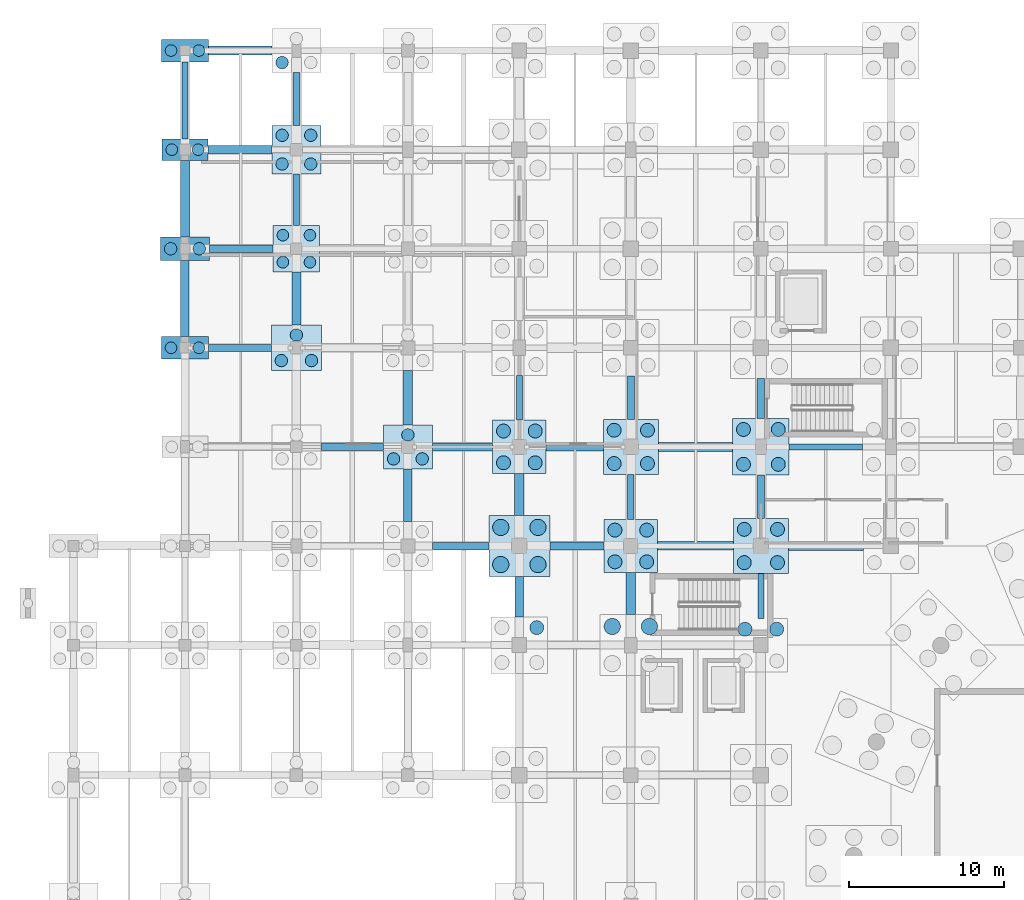
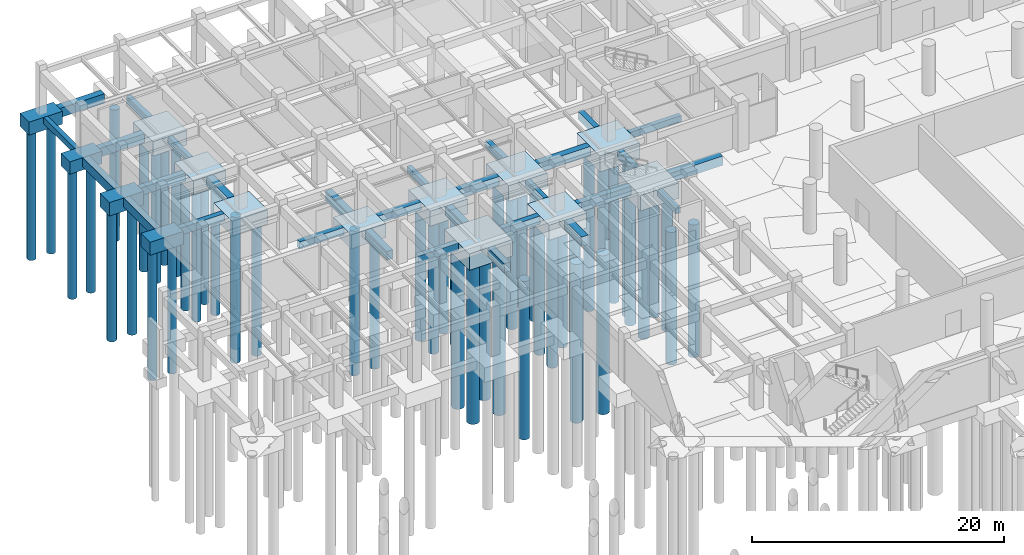
# One storey, part 7 of 44: 52 piles, 44 footings.
"""IFC4 building model written with IfcOpenShell, lengths in metres."""

from ifc_helpers import new_model, si_unit, direction, frame, origin, origin_2d, place, context, subcontext, project, spatial, rectangle, circle, extrude, material, material_profile, profile_set, type_object, element, save


model = new_model("IFC4")

# Units and contexts
model_context = context("Model", 3, precision=1e-05, world=origin(), true_north=direction((0.0, 1.0)))
body_context = subcontext(model_context, "Body", "Model", "MODEL_VIEW")
ifc_project = project(units=[si_unit("LENGTHUNIT", "METRE"), si_unit("AREAUNIT", "SQUARE_METRE"), si_unit("VOLUMEUNIT", "CUBIC_METRE"), si_unit("PLANEANGLEUNIT", "RADIAN"), si_unit("MASSUNIT", "GRAM", prefix="KILO")], contexts=[model_context])

# Site, building, storey
site_placement = place(None, origin())
site = spatial("IfcSite", under=ifc_project, at=site_placement, CompositionType="ELEMENT")
building_placement = place(site_placement, origin())
building = spatial("IfcBuilding", under=site, at=building_placement, Name="Korsvaeld Concert Hall", CompositionType="ELEMENT")
storey_placement = place(building_placement, frame((0.0, 0.0, -4.800048828125)))
storey = spatial("IfcBuildingStorey", under=building, at=storey_placement, Name="B1", CompositionType="ELEMENT", Elevation=-4.800048828125)

# Footings
ifc_material_1 = material(Name="Concrete C35/45", Category="concrete")
ifc_material_profile_1 = material_profile(ifc_material_1, rectangle(XDim=0.39990234375, YDim=0.60009765625, at=origin_2d()), Name="GTB 400x600")
ifc_profile_set_1 = profile_set([ifc_material_profile_1], Name="Concrete C35/45")
footing_type_1 = type_object("IfcFootingType", Name="GTB-400x600", PredefinedType="FOOTING_BEAM", material=ifc_profile_set_1)
footing_1_placement = place(storey_placement, frame((60.625, 89.60009765625, -0.300048828125), z_axis=(1.0, 0.0, 0.0), x_axis=(0.0, 1.0, 0.0)))
element("IfcFooting", 1, at=footing_1_placement, inside=storey, type_object=footing_type_1, Name="Ground tie beam 9-10/N", PredefinedType="FOOTING_BEAM", context=body_context, shape_type="SweptSolid", body=[
    extrude(rectangle(XDim=0.39990234375, YDim=0.60009765625, at=origin_2d()), origin(), (0.0, 0.0, 1.0), 4.75),
])
footing_2_placement = place(storey_placement, frame((21.60009765625, 109.5, -0.300048828125), z_axis=(0.0, 1.0, 0.0), x_axis=(-1.0, 0.0, 0.0)))
element("IfcFooting", 2, at=footing_2_placement, inside=storey, type_object=footing_type_1, Name="Ground tie beam 4/R-S", PredefinedType="FOOTING_BEAM", context=body_context, shape_type="SweptSolid", body=[
    extrude(rectangle(XDim=0.39990234375, YDim=0.60009765625, at=origin_2d()), origin(), (0.0, 0.0, 1.0), 4.97509765625),
])
footing_3_placement = place(storey_placement, frame((28.800048828125, 103.89990234375, -0.300048828125), z_axis=(0.0, 1.0, 0.0), x_axis=(-1.0, 0.0, 0.0)))
element("IfcFooting", 3, at=footing_3_placement, inside=storey, type_object=footing_type_1, Name="Ground tie beam 5/Q-R", PredefinedType="FOOTING_BEAM", context=body_context, shape_type="SweptSolid", body=[
    extrude(rectangle(XDim=0.39990234375, YDim=0.60009765625, at=origin_2d()), origin(), (0.0, 0.0, 1.0), 3.3251953125),
])
footing_4_placement = place(storey_placement, frame((43.199951171875, 91.324951171875, -0.300048828125), z_axis=(0.0, 1.0, 0.0), x_axis=(-1.0, 0.0, 0.0)))
element("IfcFooting", 4, at=footing_4_placement, inside=storey, type_object=footing_type_1, Name="Ground tie beam 7/N-P", PredefinedType="FOOTING_BEAM", context=body_context, shape_type="SweptSolid", body=[
    extrude(rectangle(XDim=0.39990234375, YDim=0.60009765625, at=origin_2d()), origin(), (0.0, 0.0, 1.0), 2.900146484375),
])
footing_5_placement = place(storey_placement, frame((50.39990234375, 84.925048828125, -0.300048828125), z_axis=(0.0, 1.0, 0.0), x_axis=(-1.0, 0.0, 0.0)))
element("IfcFooting", 5, at=footing_5_placement, inside=storey, type_object=footing_type_1, Name="Ground tie beam 8/M-N", PredefinedType="FOOTING_BEAM", context=body_context, shape_type="SweptSolid", body=[
    extrude(rectangle(XDim=0.39990234375, YDim=0.60009765625, at=origin_2d()), origin(), (0.0, 0.0, 1.0), 2.89990234375),
])
footing_6_placement = place(storey_placement, frame((58.800048828125, 78.52490234375, -0.300048828125), z_axis=(0.0, 1.0, 0.0), x_axis=(-1.0, 0.0, 0.0)))
element("IfcFooting", 6, at=footing_6_placement, inside=storey, type_object=footing_type_1, Name="Ground tie beam 9/L-M", PredefinedType="FOOTING_BEAM", context=body_context, shape_type="SweptSolid", body=[
    extrude(rectangle(XDim=0.39990234375, YDim=0.60009765625, at=origin_2d()), origin(), (0.0, 0.0, 1.0), 2.900146484375),
])
ifc_material_profile_2 = material_profile(ifc_material_1, rectangle(XDim=0.449951171875, YDim=0.699951171875, at=origin_2d()), Name="GTB 450x700")
ifc_profile_set_2 = profile_set([ifc_material_profile_2], Name="Concrete C35/45")
footing_type_2 = type_object("IfcFootingType", Name="GTB-450x700", PredefinedType="FOOTING_BEAM", material=ifc_profile_set_2)
footing_7_placement = place(storey_placement, frame((37.574951171875, 83.199951171875, -0.349853515625), z_axis=(1.0, 0.0, 0.0), x_axis=(0.0, 1.0, 0.0)))
element("IfcFooting", 7, at=footing_7_placement, inside=storey, type_object=footing_type_2, Name="Ground tie beam 6-7/M", PredefinedType="FOOTING_BEAM", context=body_context, shape_type="SweptSolid", body=[
    extrude(rectangle(XDim=0.449951171875, YDim=0.699951171875, at=origin_2d()), origin(), (0.0, 0.0, 1.0), 3.650146484375),
])
for number, where, z_axis, x_axis, name in (
    (8, (30.375, 89.60009765625, -0.349853515625), (1.0, 0.0, 0.0), (0.0, 1.0, 0.0), "Ground tie beam 5-6/N"),
    (9, (23.125, 96.0, -0.349853515625), (1.0, 0.0, 0.0), (0.0, 1.0, 0.0), "Ground tie beam 4-5/P"),
):
    element("IfcFooting", number, at=place(storey_placement, frame(where, z_axis=z_axis, x_axis=x_axis)), inside=storey, type_object=footing_type_2, Name=name, PredefinedType="FOOTING_BEAM", context=body_context, shape_type="SweptSolid", body=[
        extrude(rectangle(XDim=0.449951171875, YDim=0.699951171875, at=origin_2d()), origin(), (0.0, 0.0, 1.0), 4.050048828125),
    ])
footing_8_placement = place(storey_placement, frame((28.800048828125, 110.375, -0.349853515625), z_axis=(0.0, 1.0, 0.0), x_axis=(-1.0, 0.0, 0.0)))
element("IfcFooting", 10, at=footing_8_placement, inside=storey, type_object=footing_type_2, Name="Ground tie beam 5/R-S", PredefinedType="FOOTING_BEAM", context=body_context, shape_type="SweptSolid", body=[
    extrude(rectangle(XDim=0.449951171875, YDim=0.699951171875, at=origin_2d()), origin(), (0.0, 0.0, 1.0), 3.39990234375),
])
footing_9_placement = place(storey_placement, frame((50.39990234375, 91.375, -0.349853515625), z_axis=(0.0, 1.0, 0.0), x_axis=(-1.0, 0.0, 0.0)))
element("IfcFooting", 11, at=footing_9_placement, inside=storey, type_object=footing_type_2, Name="Ground tie beam 8/N-P", PredefinedType="FOOTING_BEAM", context=body_context, shape_type="SweptSolid", body=[
    extrude(rectangle(XDim=0.449951171875, YDim=0.699951171875, at=origin_2d()), origin(), (0.0, 0.0, 1.0), 2.800048828125),
])
footing_10_placement = place(storey_placement, frame((58.800048828125, 84.97509765625, -0.349853515625), z_axis=(0.0, 1.0, 0.0), x_axis=(-1.0, 0.0, 0.0)))
element("IfcFooting", 12, at=footing_10_placement, inside=storey, type_object=footing_type_2, Name="Ground tie beam 9/M-N", PredefinedType="FOOTING_BEAM", context=body_context, shape_type="SweptSolid", body=[
    extrude(rectangle(XDim=0.449951171875, YDim=0.699951171875, at=origin_2d()), origin(), (0.0, 0.0, 1.0), 2.7998046875),
])
ifc_material_profile_3 = material_profile(ifc_material_1, rectangle(XDim=0.5, YDim=0.75, at=origin_2d()), Name="GTB 500x750")
ifc_profile_set_3 = profile_set([ifc_material_profile_3], Name="Concrete C35/45")
footing_type_3 = type_object("IfcFootingType", Name="GTB-500x750", PredefinedType="FOOTING_BEAM", material=ifc_profile_set_3)
footing_11_placement = place(storey_placement, frame((45.175048828125, 83.199951171875, -0.375), z_axis=(1.0, 0.0, 0.0), x_axis=(0.0, 1.0, 0.0)))
element("IfcFooting", 13, at=footing_11_placement, inside=storey, type_object=footing_type_3, Name="Ground tie beam 7-8/M", PredefinedType="FOOTING_BEAM", context=body_context, shape_type="SweptSolid", body=[
    extrude(rectangle(XDim=0.5, YDim=0.75, at=origin_2d()), origin(), (0.0, 0.0, 1.0), 3.5),
])
footing_12_placement = place(storey_placement, frame((37.574951171875, 89.60009765625, -0.375), z_axis=(1.0, 0.0, 0.0), x_axis=(0.0, 1.0, 0.0)))
element("IfcFooting", 14, at=footing_12_placement, inside=storey, type_object=footing_type_3, Name="Ground tie beam 6-7/N", PredefinedType="FOOTING_BEAM", context=body_context, shape_type="SweptSolid", body=[
    extrude(rectangle(XDim=0.5, YDim=0.75, at=origin_2d()), origin(), (0.0, 0.0, 1.0), 3.900146484375),
])
footing_13_placement = place(storey_placement, frame((23.175048828125, 102.39990234375, -0.375), z_axis=(1.0, 0.0, 0.0), x_axis=(0.0, 1.0, 0.0)))
element("IfcFooting", 15, at=footing_13_placement, inside=storey, type_object=footing_type_3, Name="Ground tie beam 4-5/Q", PredefinedType="FOOTING_BEAM", context=body_context, shape_type="SweptSolid", body=[
    extrude(rectangle(XDim=0.5, YDim=0.75, at=origin_2d()), origin(), (0.0, 0.0, 1.0), 4.125),
])
footing_14_placement = place(storey_placement, frame((58.800048828125, 91.425048828125, -0.375), z_axis=(0.0, 1.0, 0.0), x_axis=(-1.0, 0.0, 0.0)))
element("IfcFooting", 16, at=footing_14_placement, inside=storey, type_object=footing_type_3, Name="Ground tie beam 9/N-P", PredefinedType="FOOTING_BEAM", context=body_context, shape_type="SweptSolid", body=[
    extrude(rectangle(XDim=0.5, YDim=0.75, at=origin_2d()), origin(), (0.0, 0.0, 1.0), 2.599853515625),
])
ifc_material_profile_4 = material_profile(ifc_material_1, rectangle(XDim=0.550048828125, YDim=0.85009765625, at=origin_2d()), Name="GTB 550x850")
ifc_profile_set_4 = profile_set([ifc_material_profile_4], Name="Concrete C35/45")
footing_type_4 = type_object("IfcFootingType", Name="GTB-550x850", PredefinedType="FOOTING_BEAM", material=ifc_profile_set_4)
footing_15_placement = place(storey_placement, frame((52.125, 83.199951171875, -0.425048828125), z_axis=(1.0, 0.0, 0.0), x_axis=(0.0, 1.0, 0.0)))
element("IfcFooting", 17, at=footing_15_placement, inside=storey, type_object=footing_type_4, Name="Ground tie beam 8-9/M", PredefinedType="FOOTING_BEAM", context=body_context, shape_type="SweptSolid", body=[
    extrude(rectangle(XDim=0.550048828125, YDim=0.85009765625, at=origin_2d()), origin(), (0.0, 0.0, 1.0), 4.89990234375),
])
footing_16_placement = place(storey_placement, frame((44.925048828125, 89.60009765625, -0.425048828125), z_axis=(1.0, 0.0, 0.0), x_axis=(0.0, 1.0, 0.0)))
element("IfcFooting", 18, at=footing_16_placement, inside=storey, type_object=footing_type_4, Name="Ground tie beam 7-8/N", PredefinedType="FOOTING_BEAM", context=body_context, shape_type="SweptSolid", body=[
    extrude(rectangle(XDim=0.550048828125, YDim=0.85009765625, at=origin_2d()), origin(), (0.0, 0.0, 1.0), 3.699951171875),
])
footing_17_placement = place(storey_placement, frame((23.074951171875, 108.800048828125, -0.425048828125), z_axis=(1.0, 0.0, 0.0), x_axis=(0.0, 1.0, 0.0)))
element("IfcFooting", 19, at=footing_17_placement, inside=storey, type_object=footing_type_4, Name="Ground tie beam 4-5/R", PredefinedType="FOOTING_BEAM", context=body_context, shape_type="SweptSolid", body=[
    extrude(rectangle(XDim=0.550048828125, YDim=0.85009765625, at=origin_2d()), origin(), (0.0, 0.0, 1.0), 4.150146484375),
])
footing_18_placement = place(storey_placement, frame((21.60009765625, 96.72509765625, -0.425048828125), z_axis=(0.0, 1.0, 0.0), x_axis=(-1.0, 0.0, 0.0)))
element("IfcFooting", 20, at=footing_18_placement, inside=storey, type_object=footing_type_4, Name="Ground tie beam 4/P-Q", PredefinedType="FOOTING_BEAM", context=body_context, shape_type="SweptSolid", body=[
    extrude(rectangle(XDim=0.550048828125, YDim=0.85009765625, at=origin_2d()), origin(), (0.0, 0.0, 1.0), 4.9248046875),
])
footing_19_placement = place(storey_placement, frame((36.0, 84.77490234375, -0.425048828125), z_axis=(0.0, 1.0, 0.0), x_axis=(-1.0, 0.0, 0.0)))
element("IfcFooting", 21, at=footing_19_placement, inside=storey, type_object=footing_type_4, Name="Ground tie beam 6/M-N", PredefinedType="FOOTING_BEAM", context=body_context, shape_type="SweptSolid", body=[
    extrude(rectangle(XDim=0.550048828125, YDim=0.85009765625, at=origin_2d()), origin(), (0.0, 0.0, 1.0), 3.400146484375),
])
footing_20_placement = place(storey_placement, frame((43.199951171875, 78.625, -0.425048828125), z_axis=(0.0, 1.0, 0.0), x_axis=(-1.0, 0.0, 0.0)))
element("IfcFooting", 22, at=footing_20_placement, inside=storey, type_object=footing_type_4, Name="Ground tie beam 7/L-M", PredefinedType="FOOTING_BEAM", context=body_context, shape_type="SweptSolid", body=[
    extrude(rectangle(XDim=0.550048828125, YDim=0.85009765625, at=origin_2d()), origin(), (0.0, 0.0, 1.0), 2.60009765625),
])
ifc_material_profile_5 = material_profile(ifc_material_1, rectangle(XDim=0.60009765625, YDim=0.89990234375, at=origin_2d()), Name="GTB 600x900")
ifc_profile_set_5 = profile_set([ifc_material_profile_5], Name="Concrete C35/45")
footing_type_5 = type_object("IfcFootingType", Name="GTB-600x900", PredefinedType="FOOTING_BEAM", material=ifc_profile_set_5)
footing_21_placement = place(storey_placement, frame((60.574951171875, 83.199951171875, -0.449951171875), z_axis=(1.0, 0.0, 0.0), x_axis=(0.0, 1.0, 0.0)))
element("IfcFooting", 23, at=footing_21_placement, inside=storey, type_object=footing_type_5, Name="Ground tie beam 9-10/M", PredefinedType="FOOTING_BEAM", context=body_context, shape_type="SweptSolid", body=[
    extrude(rectangle(XDim=0.60009765625, YDim=0.89990234375, at=origin_2d()), origin(), (0.0, 0.0, 1.0), 4.85009765625),
])
footing_22_placement = place(storey_placement, frame((52.175048828125, 89.60009765625, -0.449951171875), z_axis=(1.0, 0.0, 0.0), x_axis=(0.0, 1.0, 0.0)))
element("IfcFooting", 24, at=footing_22_placement, inside=storey, type_object=footing_type_5, Name="Ground tie beam 8-9/N", PredefinedType="FOOTING_BEAM", context=body_context, shape_type="SweptSolid", body=[
    extrude(rectangle(XDim=0.60009765625, YDim=0.89990234375, at=origin_2d()), origin(), (0.0, 0.0, 1.0), 4.800048828125),
])
footing_23_placement = place(storey_placement, frame((23.125, 115.199951171875, -0.449951171875), z_axis=(1.0, 0.0, 0.0), x_axis=(0.0, 1.0, 0.0)))
element("IfcFooting", 25, at=footing_23_placement, inside=storey, type_object=footing_type_5, Name="Ground tie beam 4-5/S", PredefinedType="FOOTING_BEAM", context=body_context, shape_type="SweptSolid", body=[
    extrude(rectangle(XDim=0.60009765625, YDim=0.89990234375, at=origin_2d()), origin(), (0.0, 0.0, 1.0), 4.10009765625),
])
footing_24_placement = place(storey_placement, frame((21.60009765625, 103.14990234375, -0.449951171875), z_axis=(0.0, 1.0, 0.0), x_axis=(-1.0, 0.0, 0.0)))
element("IfcFooting", 26, at=footing_24_placement, inside=storey, type_object=footing_type_5, Name="Ground tie beam 4/Q-R", PredefinedType="FOOTING_BEAM", context=body_context, shape_type="SweptSolid", body=[
    extrude(rectangle(XDim=0.60009765625, YDim=0.89990234375, at=origin_2d()), origin(), (0.0, 0.0, 1.0), 4.9501953125),
])
footing_25_placement = place(storey_placement, frame((28.800048828125, 97.47509765625, -0.449951171875), z_axis=(0.0, 1.0, 0.0), x_axis=(-1.0, 0.0, 0.0)))
element("IfcFooting", 27, at=footing_25_placement, inside=storey, type_object=footing_type_5, Name="Ground tie beam 5/P-Q", PredefinedType="FOOTING_BEAM", context=body_context, shape_type="SweptSolid", body=[
    extrude(rectangle(XDim=0.60009765625, YDim=0.89990234375, at=origin_2d()), origin(), (0.0, 0.0, 1.0), 3.4248046875),
])
footing_26_placement = place(storey_placement, frame((36.0, 91.02490234375, -0.449951171875), z_axis=(0.0, 1.0, 0.0), x_axis=(-1.0, 0.0, 0.0)))
element("IfcFooting", 28, at=footing_26_placement, inside=storey, type_object=footing_type_5, Name="Ground tie beam 6/N-P", PredefinedType="FOOTING_BEAM", context=body_context, shape_type="SweptSolid", body=[
    extrude(rectangle(XDim=0.60009765625, YDim=0.89990234375, at=origin_2d()), origin(), (0.0, 0.0, 1.0), 3.5),
])
footing_27_placement = place(storey_placement, frame((43.199951171875, 85.175048828125, -0.449951171875), z_axis=(0.0, 1.0, 0.0), x_axis=(-1.0, 0.0, 0.0)))
element("IfcFooting", 29, at=footing_27_placement, inside=storey, type_object=footing_type_5, Name="Ground tie beam 7/M-N", PredefinedType="FOOTING_BEAM", context=body_context, shape_type="SweptSolid", body=[
    extrude(rectangle(XDim=0.60009765625, YDim=0.89990234375, at=origin_2d()), origin(), (0.0, 0.0, 1.0), 2.699951171875),
])
footing_28_placement = place(storey_placement, frame((50.39990234375, 78.77490234375, -0.449951171875), z_axis=(0.0, 1.0, 0.0), x_axis=(-1.0, 0.0, 0.0)))
element("IfcFooting", 30, at=footing_28_placement, inside=storey, type_object=footing_type_5, Name="Ground tie beam 8/L-M", PredefinedType="FOOTING_BEAM", context=body_context, shape_type="SweptSolid", body=[
    extrude(rectangle(XDim=0.60009765625, YDim=0.89990234375, at=origin_2d()), origin(), (0.0, 0.0, 1.0), 2.7001953125),
])
footing_type_6 = type_object("IfcFootingType", Name="PC-2P-240x130x120", PredefinedType="PILE_CAP", material=ifc_material_1)
footing_29_placement = place(storey_placement, frame((21.60009765625, 108.800048828125, -1.19970703125), z_axis=(0.0, 0.0, 1.0), x_axis=(1.0, 0.0, 0.0)))
element("IfcFooting", 31, at=footing_29_placement, inside=storey, type_object=footing_type_6, Name="Pile cap 4/R", PredefinedType="PILE_CAP", context=body_context, shape_type="SweptSolid", body=[
    extrude(rectangle(XDim=2.949951171875, YDim=1.39990234375, at=origin_2d()), origin(), (0.0, 0.0, 1.0), 1.199951171875),
])
footing_type_7 = type_object("IfcFootingType", Name="PC-2P-260x140x125", PredefinedType="PILE_CAP", material=ifc_material_1)
for number, where, z_axis, x_axis, name in (
    (32, (21.60009765625, 96.0, -1.25), (0.0, 0.0, 1.0), (1.0, 0.0, 0.0), "Pile cap 4/P"),
    (33, (21.60009765625, 115.199951171875, -1.25), (0.0, 0.0, 1.0), (1.0, 0.0, 0.0), "Pile cap 4/S"),
):
    element("IfcFooting", number, at=place(storey_placement, frame(where, z_axis=z_axis, x_axis=x_axis)), inside=storey, type_object=footing_type_7, Name=name, PredefinedType="PILE_CAP", context=body_context, shape_type="SweptSolid", body=[
        extrude(rectangle(XDim=3.050048828125, YDim=1.449951171875, at=origin_2d()), origin(), (0.0, 0.0, 1.0), 1.25),
    ])
footing_type_8 = type_object("IfcFootingType", Name="PC-2P-280x150x130", PredefinedType="PILE_CAP", material=ifc_material_1)
footing_30_placement = place(storey_placement, frame((21.60009765625, 102.39990234375, -1.2998046875), z_axis=(0.0, 0.0, 1.0), x_axis=(1.0, 0.0, 0.0)))
element("IfcFooting", 34, at=footing_30_placement, inside=storey, type_object=footing_type_8, Name="Pile cap 4/Q", PredefinedType="PILE_CAP", context=body_context, shape_type="SweptSolid", body=[
    extrude(rectangle(XDim=3.14990234375, YDim=1.5, at=origin_2d()), origin(), (0.0, 0.0, 1.0), 1.300048828125),
])
footing_type_9 = type_object("IfcFootingType", Name="PC-3P-290x260x135", PredefinedType="PILE_CAP", material=ifc_material_1)
footing_31_placement = place(storey_placement, frame((36.0, 89.60009765625, -1.35009765625), z_axis=(0.0, 0.0, 1.0), x_axis=(1.0, 0.0, 0.0)))
element("IfcFooting", 35, at=footing_31_placement, inside=storey, type_object=footing_type_9, Name="Pile cap 6/N", PredefinedType="PILE_CAP", context=body_context, shape_type="SweptSolid", body=[
    extrude(rectangle(XDim=3.14990234375, YDim=2.85009765625, at=origin_2d()), origin(), (0.0, 0.0, 1.0), 1.35009765625),
])
footing_type_10 = type_object("IfcFootingType", Name="PC-3P-310x280x140", PredefinedType="PILE_CAP", material=ifc_material_1)
footing_32_placement = place(storey_placement, frame((28.800048828125, 96.0, -1.39990234375), z_axis=(0.0, 0.0, 1.0), x_axis=(1.0, 0.0, 0.0)))
element("IfcFooting", 36, at=footing_32_placement, inside=storey, type_object=footing_type_10, Name="Pile cap 5/P", PredefinedType="PILE_CAP", context=body_context, shape_type="SweptSolid", body=[
    extrude(rectangle(XDim=3.25, YDim=2.949951171875, at=origin_2d()), origin(), (0.0, 0.0, 1.0), 1.39990234375),
])
footing_type_11 = type_object("IfcFootingType", Name="PC-4P-280x280x135", PredefinedType="PILE_CAP", material=ifc_material_1)
footing_33_placement = place(storey_placement, frame((28.800048828125, 102.39990234375, -1.35009765625), z_axis=(0.0, 0.0, 1.0), x_axis=(1.0, 0.0, 0.0)))
element("IfcFooting", 37, at=footing_33_placement, inside=storey, type_object=footing_type_11, Name="Pile cap 5/Q", PredefinedType="PILE_CAP", context=body_context, shape_type="SweptSolid", body=[
    extrude(rectangle(XDim=3.0, YDim=3.0, at=origin_2d()), origin(), (0.0, 0.0, 1.0), 1.35009765625),
])
footing_type_12 = type_object("IfcFootingType", Name="PC-4P-300x300x140", PredefinedType="PILE_CAP", material=ifc_material_1)
footing_34_placement = place(storey_placement, frame((28.800048828125, 108.800048828125, -1.39990234375), z_axis=(0.0, 0.0, 1.0), x_axis=(1.0, 0.0, 0.0)))
element("IfcFooting", 38, at=footing_34_placement, inside=storey, type_object=footing_type_12, Name="Pile cap 5/R", PredefinedType="PILE_CAP", context=body_context, shape_type="SweptSolid", body=[
    extrude(rectangle(XDim=3.14990234375, YDim=3.14990234375, at=origin_2d()), origin(), (0.0, 0.0, 1.0), 1.39990234375),
])
footing_type_13 = type_object("IfcFootingType", Name="PC-4P-320x320x145", PredefinedType="PILE_CAP", material=ifc_material_1)
for number, where, z_axis, x_axis, name in (
    (39, (43.199951171875, 89.60009765625, -1.44970703125), (0.0, 0.0, 1.0), (1.0, 0.0, 0.0), "Pile cap 7/N"),
    (40, (50.39990234375, 83.199951171875, -1.44970703125), (0.0, 0.0, 1.0), (1.0, 0.0, 0.0), "Pile cap 8/M"),
):
    element("IfcFooting", number, at=place(storey_placement, frame(where, z_axis=z_axis, x_axis=x_axis)), inside=storey, type_object=footing_type_13, Name=name, PredefinedType="PILE_CAP", context=body_context, shape_type="SweptSolid", body=[
        extrude(rectangle(XDim=3.449951171875, YDim=3.449951171875, at=origin_2d()), origin(), (0.0, 0.0, 1.0), 1.449951171875),
    ])
footing_type_14 = type_object("IfcFootingType", Name="PC-4P-340x340x150", PredefinedType="PILE_CAP", material=ifc_material_1)
for number, where, z_axis, x_axis, name in (
    (41, (50.39990234375, 89.60009765625, -1.5), (0.0, 0.0, 1.0), (1.0, 0.0, 0.0), "Pile cap 8/N"),
    (42, (58.800048828125, 83.199951171875, -1.5), (0.0, 0.0, 1.0), (1.0, 0.0, 0.0), "Pile cap 9/M"),
):
    element("IfcFooting", number, at=place(storey_placement, frame(where, z_axis=z_axis, x_axis=x_axis)), inside=storey, type_object=footing_type_14, Name=name, PredefinedType="PILE_CAP", context=body_context, shape_type="SweptSolid", body=[
        extrude(rectangle(XDim=3.550048828125, YDim=3.550048828125, at=origin_2d()), origin(), (0.0, 0.0, 1.0), 1.5),
    ])
footing_type_15 = type_object("IfcFootingType", Name="PC-4P-360x360x155", PredefinedType="PILE_CAP", material=ifc_material_1)
footing_35_placement = place(storey_placement, frame((58.800048828125, 89.60009765625, -1.5498046875), z_axis=(0.0, 0.0, 1.0), x_axis=(1.0, 0.0, 0.0)))
element("IfcFooting", 43, at=footing_35_placement, inside=storey, type_object=footing_type_15, Name="Pile cap 9/N", PredefinedType="PILE_CAP", context=body_context, shape_type="SweptSolid", body=[
    extrude(rectangle(XDim=3.64990234375, YDim=3.64990234375, at=origin_2d()), origin(), (0.0, 0.0, 1.0), 1.550048828125),
])
footing_type_16 = type_object("IfcFootingType", Name="PC-4P-380x380x160", PredefinedType="PILE_CAP", material=ifc_material_1)
footing_36_placement = place(storey_placement, frame((43.199951171875, 83.199951171875, -1.60009765625), z_axis=(0.0, 0.0, 1.0), x_axis=(1.0, 0.0, 0.0)))
element("IfcFooting", 44, at=footing_36_placement, inside=storey, type_object=footing_type_16, Name="Pile cap 7/M", PredefinedType="PILE_CAP", context=body_context, shape_type="SweptSolid", body=[
    extrude(rectangle(XDim=3.949951171875, YDim=3.949951171875, at=origin_2d()), origin(), (0.0, 0.0, 1.0), 1.60009765625),
])

# Piles
ifc_material_2 = material(Name="Concrete C40/50", Category="concrete")
ifc_material_profile_6 = material_profile(ifc_material_2, circle(Radius=0.52490234375, at=origin_2d()), Name="BORED PILE D1050")
ifc_profile_set_6 = profile_set([ifc_material_profile_6], Name="Concrete C40/50")
pile_type_1 = type_object("IfcPileType", Name="PILE-D1050", PredefinedType="BORED", material=ifc_profile_set_6)
for number, where, z_axis, x_axis, name in (
    (45, (42.0, 82.0, -1.5), (0.0, 0.0, -1.0), (1.0, 0.0, 0.0), "Bored pile 7/M-1"),
    (46, (44.39990234375, 82.0, -1.5), (0.0, 0.0, -1.0), (1.0, 0.0, 0.0), "Bored pile 7/M-2"),
    (47, (42.0, 84.39990234375, -1.5), (0.0, 0.0, -1.0), (1.0, 0.0, 0.0), "Bored pile 7/M-3"),
    (48, (44.39990234375, 84.39990234375, -1.5), (0.0, 0.0, -1.0), (1.0, 0.0, 0.0), "Bored pile 7/M-4"),
    (49, (49.199951171875, 78.0, -1.5), (0.0, 0.0, -1.0), (1.0, 0.0, 0.0), "Bored pile 8/L-3"),
    (50, (51.60009765625, 78.0, -1.5), (0.0, 0.0, -1.0), (1.0, 0.0, 0.0), "Bored pile 8/L-4"),
):
    element("IfcPile", number, at=place(storey_placement, frame(where, z_axis=z_axis, x_axis=x_axis)), inside=storey, type_object=pile_type_1, Name=name, PredefinedType="BORED", context=body_context, shape_type="SweptSolid", body=[
        extrude(circle(Radius=0.52490234375, at=origin_2d()), origin(), (0.0, 0.0, 1.0), 15.39990234375),
    ])
ifc_material_profile_7 = material_profile(ifc_material_1, circle(Radius=0.375, at=origin_2d()), Name="BORED PILE D750")
ifc_profile_set_7 = profile_set([ifc_material_profile_7], Name="Concrete C35/45")
pile_type_2 = type_object("IfcPileType", Name="PILE-D750", PredefinedType="BORED", material=ifc_profile_set_7)
for number, where, z_axis, x_axis, name in (
    (51, (20.699951171875, 96.0, -1.14990234375), (0.0, 0.0, -1.0), (1.0, 0.0, 0.0), "Bored pile 4/P-1"),
    (52, (22.5, 96.0, -1.14990234375), (0.0, 0.0, -1.0), (1.0, 0.0, 0.0), "Bored pile 4/P-2"),
):
    element("IfcPile", number, at=place(storey_placement, frame(where, z_axis=z_axis, x_axis=x_axis)), inside=storey, type_object=pile_type_2, Name=name, PredefinedType="BORED", context=body_context, shape_type="SweptSolid", body=[
        extrude(circle(Radius=0.375, at=origin_2d()), origin(), (0.0, 0.0, 1.0), 12.64990234375),
    ])
for number, where, z_axis, x_axis, name in (
    (53, (20.75, 108.800048828125, -1.099853515625), (0.0, 0.0, -1.0), (1.0, 0.0, 0.0), "Bored pile 4/R-1"),
    (54, (22.449951171875, 108.800048828125, -1.099853515625), (0.0, 0.0, -1.0), (1.0, 0.0, 0.0), "Bored pile 4/R-2"),
):
    element("IfcPile", number, at=place(storey_placement, frame(where, z_axis=z_axis, x_axis=x_axis)), inside=storey, type_object=pile_type_2, Name=name, PredefinedType="BORED", context=body_context, shape_type="SweptSolid", body=[
        extrude(circle(Radius=0.375, at=origin_2d()), origin(), (0.0, 0.0, 1.0), 12.60009765625),
    ])
for number, where, z_axis, x_axis, name in (
    (55, (20.699951171875, 115.199951171875, -1.14990234375), (0.0, 0.0, -1.0), (1.0, 0.0, 0.0), "Bored pile 4/S-1"),
    (56, (22.5, 115.199951171875, -1.14990234375), (0.0, 0.0, -1.0), (1.0, 0.0, 0.0), "Bored pile 4/S-2"),
):
    element("IfcPile", number, at=place(storey_placement, frame(where, z_axis=z_axis, x_axis=x_axis)), inside=storey, type_object=pile_type_2, Name=name, PredefinedType="BORED", context=body_context, shape_type="SweptSolid", body=[
        extrude(circle(Radius=0.375, at=origin_2d()), origin(), (0.0, 0.0, 1.0), 12.64990234375),
    ])
for number, where, z_axis, x_axis, name in (
    (57, (27.925048828125, 101.52490234375, -1.25), (0.0, 0.0, -1.0), (1.0, 0.0, 0.0), "Bored pile 5/Q-1"),
    (58, (29.675048828125, 101.52490234375, -1.25), (0.0, 0.0, -1.0), (1.0, 0.0, 0.0), "Bored pile 5/Q-2"),
    (59, (27.925048828125, 103.27490234375, -1.25), (0.0, 0.0, -1.0), (1.0, 0.0, 0.0), "Bored pile 5/Q-3"),
    (60, (29.675048828125, 103.27490234375, -1.25), (0.0, 0.0, -1.0), (1.0, 0.0, 0.0), "Bored pile 5/Q-4"),
):
    element("IfcPile", number, at=place(storey_placement, frame(where, z_axis=z_axis, x_axis=x_axis)), inside=storey, type_object=pile_type_2, Name=name, PredefinedType="BORED", context=body_context, shape_type="SweptSolid", body=[
        extrude(circle(Radius=0.375, at=origin_2d()), origin(), (0.0, 0.0, 1.0), 12.75),
    ])
ifc_material_profile_8 = material_profile(ifc_material_1, circle(Radius=0.39990234375, at=origin_2d()), Name="BORED PILE D800")
ifc_profile_set_8 = profile_set([ifc_material_profile_8], Name="Concrete C35/45")
pile_type_3 = type_object("IfcPileType", Name="PILE-D800", PredefinedType="BORED", material=ifc_profile_set_8)
for number, where, z_axis, x_axis, name in (
    (61, (20.675048828125, 102.39990234375, -1.199951171875), (0.0, 0.0, -1.0), (1.0, 0.0, 0.0), "Bored pile 4/Q-1"),
    (62, (22.52490234375, 102.39990234375, -1.199951171875), (0.0, 0.0, -1.0), (1.0, 0.0, 0.0), "Bored pile 4/Q-2"),
):
    element("IfcPile", number, at=place(storey_placement, frame(where, z_axis=z_axis, x_axis=x_axis)), inside=storey, type_object=pile_type_3, Name=name, PredefinedType="BORED", context=body_context, shape_type="SweptSolid", body=[
        extrude(circle(Radius=0.39990234375, at=origin_2d()), origin(), (0.0, 0.0, 1.0), 12.699951171875),
    ])
for number, where, z_axis, x_axis, name in (
    (63, (27.824951171875, 95.175048828125, -1.300048828125), (0.0, 0.0, -1.0), (1.0, 0.0, 0.0), "Bored pile 5/P-1"),
    (64, (29.77490234375, 95.175048828125, -1.300048828125), (0.0, 0.0, -1.0), (1.0, 0.0, 0.0), "Bored pile 5/P-2"),
    (65, (28.800048828125, 96.824951171875, -1.300048828125), (0.0, 0.0, -1.0), (1.0, 0.0, 0.0), "Bored pile 5/P-3"),
    (66, (27.875, 107.875, -1.300048828125), (0.0, 0.0, -1.0), (1.0, 0.0, 0.0), "Bored pile 5/R-1"),
    (67, (29.72509765625, 107.875, -1.300048828125), (0.0, 0.0, -1.0), (1.0, 0.0, 0.0), "Bored pile 5/R-2"),
    (68, (27.875, 109.72509765625, -1.300048828125), (0.0, 0.0, -1.0), (1.0, 0.0, 0.0), "Bored pile 5/R-3"),
    (69, (29.72509765625, 109.72509765625, -1.300048828125), (0.0, 0.0, -1.0), (1.0, 0.0, 0.0), "Bored pile 5/R-4"),
):
    element("IfcPile", number, at=place(storey_placement, frame(where, z_axis=z_axis, x_axis=x_axis)), inside=storey, type_object=pile_type_3, Name=name, PredefinedType="BORED", context=body_context, shape_type="SweptSolid", body=[
        extrude(circle(Radius=0.39990234375, at=origin_2d()), origin(), (0.0, 0.0, 1.0), 12.800048828125),
    ])
for number, where, z_axis, x_axis, name in (
    (70, (27.875, 114.425048828125, -1.25), (0.0, 0.0, -1.0), (1.0, 0.0, 0.0), "Bored pile 5/S-1"),
    (71, (35.074951171875, 88.824951171875, -1.25), (0.0, 0.0, -1.0), (1.0, 0.0, 0.0), "Bored pile 6/N-1"),
    (72, (36.925048828125, 88.824951171875, -1.25), (0.0, 0.0, -1.0), (1.0, 0.0, 0.0), "Bored pile 6/N-2"),
    (73, (36.0, 90.375, -1.25), (0.0, 0.0, -1.0), (1.0, 0.0, 0.0), "Bored pile 6/N-3"),
):
    element("IfcPile", number, at=place(storey_placement, frame(where, z_axis=z_axis, x_axis=x_axis)), inside=storey, type_object=pile_type_3, Name=name, PredefinedType="BORED", context=body_context, shape_type="SweptSolid", body=[
        extrude(circle(Radius=0.39990234375, at=origin_2d()), origin(), (0.0, 0.0, 1.0), 12.75),
    ])
ifc_material_profile_9 = material_profile(ifc_material_1, circle(Radius=0.449951171875, at=origin_2d()), Name="BORED PILE D900")
ifc_profile_set_9 = profile_set([ifc_material_profile_9], Name="Concrete C35/45")
pile_type_4 = type_object("IfcPileType", Name="PILE-D900", PredefinedType="BORED", material=ifc_profile_set_9)
pile_placement = place(storey_placement, frame((44.324951171875, 77.925048828125, -1.449951171875), z_axis=(0.0, 0.0, -1.0), x_axis=(1.0, 0.0, 0.0)))
element("IfcPile", 74, at=pile_placement, inside=storey, type_object=pile_type_4, Name="Bored pile 7/L-4", PredefinedType="BORED", context=body_context, shape_type="SweptSolid", body=[
    extrude(circle(Radius=0.449951171875, at=origin_2d()), origin(), (0.0, 0.0, 1.0), 15.35009765625),
])
for number, where, z_axis, x_axis, name in (
    (75, (42.175048828125, 88.574951171875, -1.349853515625), (0.0, 0.0, -1.0), (1.0, 0.0, 0.0), "Bored pile 7/N-1"),
    (76, (44.22509765625, 88.574951171875, -1.349853515625), (0.0, 0.0, -1.0), (1.0, 0.0, 0.0), "Bored pile 7/N-2"),
    (77, (42.175048828125, 90.625, -1.349853515625), (0.0, 0.0, -1.0), (1.0, 0.0, 0.0), "Bored pile 7/N-3"),
    (78, (44.22509765625, 90.625, -1.349853515625), (0.0, 0.0, -1.0), (1.0, 0.0, 0.0), "Bored pile 7/N-4"),
    (79, (49.375, 82.175048828125, -1.349853515625), (0.0, 0.0, -1.0), (1.0, 0.0, 0.0), "Bored pile 8/M-1"),
    (80, (51.425048828125, 82.175048828125, -1.349853515625), (0.0, 0.0, -1.0), (1.0, 0.0, 0.0), "Bored pile 8/M-2"),
    (81, (49.375, 84.22509765625, -1.349853515625), (0.0, 0.0, -1.0), (1.0, 0.0, 0.0), "Bored pile 8/M-3"),
    (82, (51.425048828125, 84.22509765625, -1.349853515625), (0.0, 0.0, -1.0), (1.0, 0.0, 0.0), "Bored pile 8/M-4"),
):
    element("IfcPile", number, at=place(storey_placement, frame(where, z_axis=z_axis, x_axis=x_axis)), inside=storey, type_object=pile_type_4, Name=name, PredefinedType="BORED", context=body_context, shape_type="SweptSolid", body=[
        extrude(circle(Radius=0.449951171875, at=origin_2d()), origin(), (0.0, 0.0, 1.0), 12.85009765625),
    ])
for number, where, z_axis, x_axis, name in (
    (83, (49.324951171875, 88.52490234375, -1.39990234375), (0.0, 0.0, -1.0), (1.0, 0.0, 0.0), "Bored pile 8/N-1"),
    (84, (51.47509765625, 88.52490234375, -1.39990234375), (0.0, 0.0, -1.0), (1.0, 0.0, 0.0), "Bored pile 8/N-2"),
    (85, (49.324951171875, 90.675048828125, -1.39990234375), (0.0, 0.0, -1.0), (1.0, 0.0, 0.0), "Bored pile 8/N-3"),
    (86, (51.47509765625, 90.675048828125, -1.39990234375), (0.0, 0.0, -1.0), (1.0, 0.0, 0.0), "Bored pile 8/N-4"),
):
    element("IfcPile", number, at=place(storey_placement, frame(where, z_axis=z_axis, x_axis=x_axis)), inside=storey, type_object=pile_type_4, Name=name, PredefinedType="BORED", context=body_context, shape_type="SweptSolid", body=[
        extrude(circle(Radius=0.449951171875, at=origin_2d()), origin(), (0.0, 0.0, 1.0), 12.89990234375),
    ])
for number, where, z_axis, x_axis, name in (
    (87, (57.77490234375, 77.824951171875, -1.349853515625), (0.0, 0.0, -1.0), (1.0, 0.0, 0.0), "Bored pile 9/L-3"),
    (88, (59.824951171875, 77.824951171875, -1.349853515625), (0.0, 0.0, -1.0), (1.0, 0.0, 0.0), "Bored pile 9/L-4"),
):
    element("IfcPile", number, at=place(storey_placement, frame(where, z_axis=z_axis, x_axis=x_axis)), inside=storey, type_object=pile_type_4, Name=name, PredefinedType="BORED", context=body_context, shape_type="SweptSolid", body=[
        extrude(circle(Radius=0.449951171875, at=origin_2d()), origin(), (0.0, 0.0, 1.0), 12.85009765625),
    ])
for number, where, z_axis, x_axis, name in (
    (89, (57.72509765625, 82.125, -1.39990234375), (0.0, 0.0, -1.0), (1.0, 0.0, 0.0), "Bored pile 9/M-1"),
    (90, (59.875, 82.125, -1.39990234375), (0.0, 0.0, -1.0), (1.0, 0.0, 0.0), "Bored pile 9/M-2"),
    (91, (57.72509765625, 84.27490234375, -1.39990234375), (0.0, 0.0, -1.0), (1.0, 0.0, 0.0), "Bored pile 9/M-3"),
    (92, (59.875, 84.27490234375, -1.39990234375), (0.0, 0.0, -1.0), (1.0, 0.0, 0.0), "Bored pile 9/M-4"),
):
    element("IfcPile", number, at=place(storey_placement, frame(where, z_axis=z_axis, x_axis=x_axis)), inside=storey, type_object=pile_type_4, Name=name, PredefinedType="BORED", context=body_context, shape_type="SweptSolid", body=[
        extrude(circle(Radius=0.449951171875, at=origin_2d()), origin(), (0.0, 0.0, 1.0), 12.89990234375),
    ])
for number, where, z_axis, x_axis, name in (
    (93, (57.675048828125, 88.47509765625, -1.449951171875), (0.0, 0.0, -1.0), (1.0, 0.0, 0.0), "Bored pile 9/N-1"),
    (94, (59.925048828125, 88.47509765625, -1.449951171875), (0.0, 0.0, -1.0), (1.0, 0.0, 0.0), "Bored pile 9/N-2"),
    (95, (57.675048828125, 90.72509765625, -1.449951171875), (0.0, 0.0, -1.0), (1.0, 0.0, 0.0), "Bored pile 9/N-3"),
    (96, (59.925048828125, 90.72509765625, -1.449951171875), (0.0, 0.0, -1.0), (1.0, 0.0, 0.0), "Bored pile 9/N-4"),
):
    element("IfcPile", number, at=place(storey_placement, frame(where, z_axis=z_axis, x_axis=x_axis)), inside=storey, type_object=pile_type_4, Name=name, PredefinedType="BORED", context=body_context, shape_type="SweptSolid", body=[
        extrude(circle(Radius=0.449951171875, at=origin_2d()), origin(), (0.0, 0.0, 1.0), 15.35009765625),
    ])

save(model, "model.ifc")
